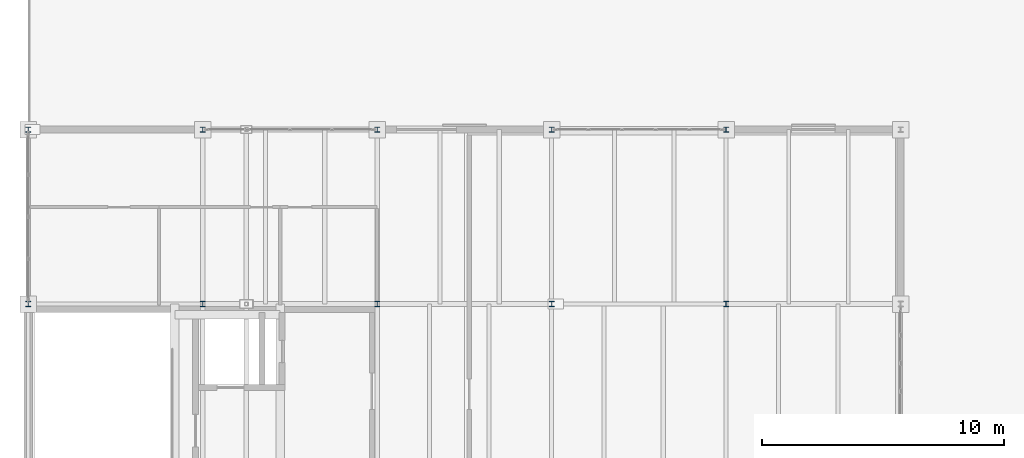
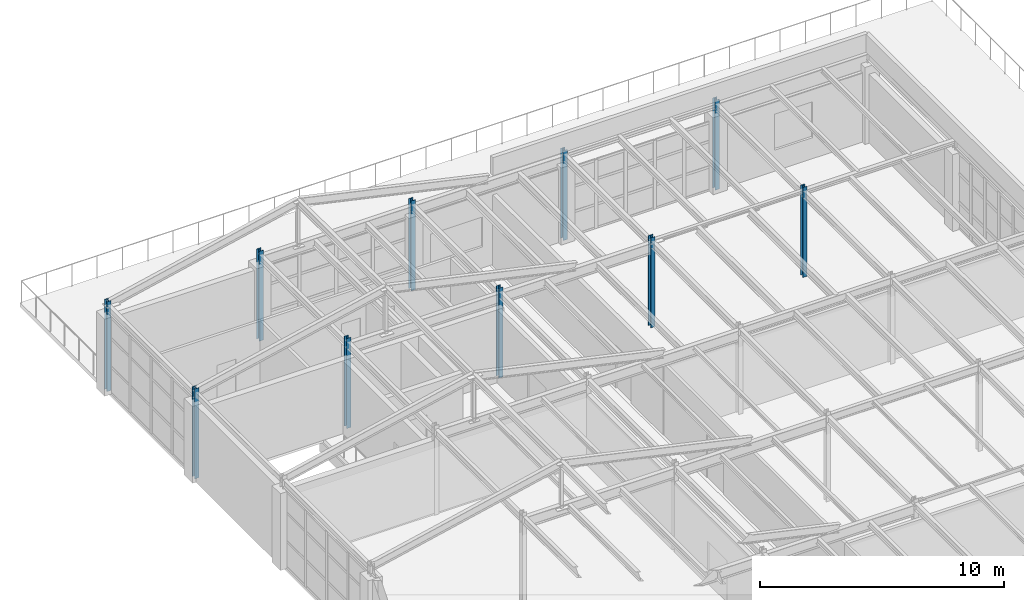
# One storey, part 6 of 43: 10 columns.
"""IFC4 building model written with IfcOpenShell, lengths in metres."""

from ifc_helpers import new_model, si_unit, direction, frame, origin, origin_2d, place, context, subcontext, project, spatial, i_section, extrude, material, material_profile, profile_set, type_object, element, save


model = new_model("IFC4")

# Units and contexts
model_context = context("Model", 3, precision=1e-05, world=origin(), true_north=direction((0.0, 1.0)))
body_context = subcontext(model_context, "Body", "Model", "MODEL_VIEW")
ifc_project = project(units=[si_unit("LENGTHUNIT", "METRE"), si_unit("AREAUNIT", "SQUARE_METRE"), si_unit("VOLUMEUNIT", "CUBIC_METRE"), si_unit("PLANEANGLEUNIT", "RADIAN"), si_unit("MASSUNIT", "GRAM", prefix="KILO")], contexts=[model_context])

# Site, building, storey
site_placement = place(None, origin())
site = spatial("IfcSite", under=ifc_project, at=site_placement, CompositionType="ELEMENT")
building_placement = place(site_placement, origin())
building = spatial("IfcBuilding", under=site, at=building_placement, Name="Kemerveld Promenade Tramway Depot", CompositionType="ELEMENT")
storey_placement = place(building_placement, frame((0.0, 0.0, 18.89990234375)))
storey = spatial("IfcBuildingStorey", under=building, at=storey_placement, Name="L04", CompositionType="ELEMENT", Elevation=18.89990234375)

# Columns
ifc_material = material(Name="Steel S355", Category="steel")
ifc_material_profile = material_profile(ifc_material, i_section(OverallWidth=0.205810546875, OverallDepth=0.209716796875, WebThickness=0.009521484375, FlangeThickness=0.01416015625, FilletRadius=0.01025390625, at=origin_2d()), Name="203x203x60 UC")
ifc_profile_set = profile_set([ifc_material_profile], Name="Steel S355")
column_type = type_object("IfcColumnType", Name="COL-S10", PredefinedType="COLUMN", material=ifc_profile_set)
for number, where, z_axis, x_axis, name in (
    (1, (0.0, 50.39990234375, 0.0), (0.0, 0.0, 1.0), (1.0, 0.0, 0.0), "COL-L04-01-H"),
    (2, (0.0, 57.60009765625, 0.0), (0.0, 0.0, 1.0), (1.0, 0.0, 0.0), "COL-L04-01-J"),
    (3, (7.199951171875, 50.39990234375, 0.0), (0.0, 0.0, 1.0), (1.0, 0.0, 0.0), "COL-L04-02-H"),
    (4, (7.199951171875, 57.60009765625, 0.0), (0.0, 0.0, 1.0), (1.0, 0.0, 0.0), "COL-L04-02-J"),
    (5, (14.39990234375, 50.39990234375, 0.0), (0.0, 0.0, 1.0), (1.0, 0.0, 0.0), "COL-L04-03-H"),
    (6, (14.39990234375, 57.60009765625, 0.0), (0.0, 0.0, 1.0), (1.0, 0.0, 0.0), "COL-L04-03-J"),
    (7, (21.60009765625, 50.39990234375, 0.0), (0.0, 0.0, 1.0), (1.0, 0.0, 0.0), "COL-L04-04-H"),
    (8, (21.60009765625, 57.60009765625, 0.0), (0.0, 0.0, 1.0), (1.0, 0.0, 0.0), "COL-L04-04-J"),
    (9, (28.800048828125, 50.39990234375, 0.0), (0.0, 0.0, 1.0), (1.0, 0.0, 0.0), "COL-L04-05-H"),
    (10, (28.800048828125, 57.60009765625, 0.0), (0.0, 0.0, 1.0), (1.0, 0.0, 0.0), "COL-L04-05-J"),
):
    element("IfcColumn", number, at=place(storey_placement, frame(where, z_axis=z_axis, x_axis=x_axis)), inside=storey, type_object=column_type, Name=name, PredefinedType="COLUMN", context=body_context, shape_type="SweptSolid", body=[
        extrude(i_section(OverallWidth=0.205810546875, OverallDepth=0.209716796875, WebThickness=0.009521484375, FlangeThickness=0.01416015625, FilletRadius=0.01025390625, at=origin_2d()), origin(), (0.0, 0.0, 1.0), 4.5),
    ])

save(model, "model.ifc")
